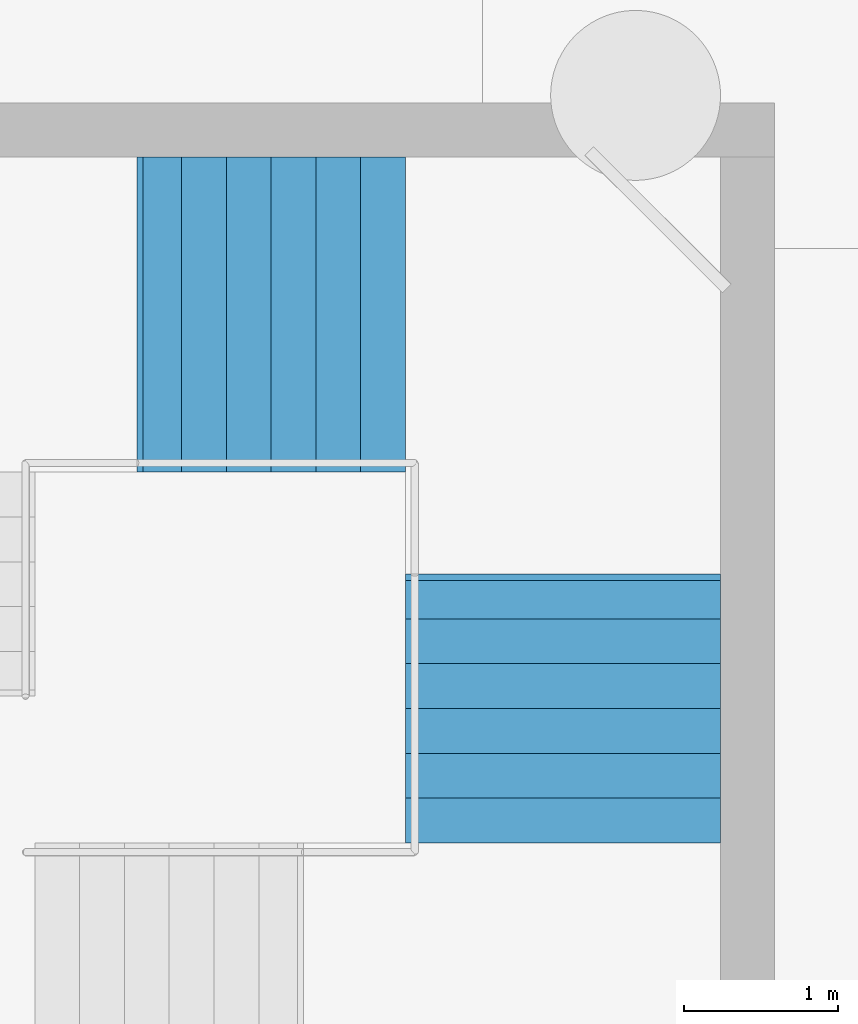
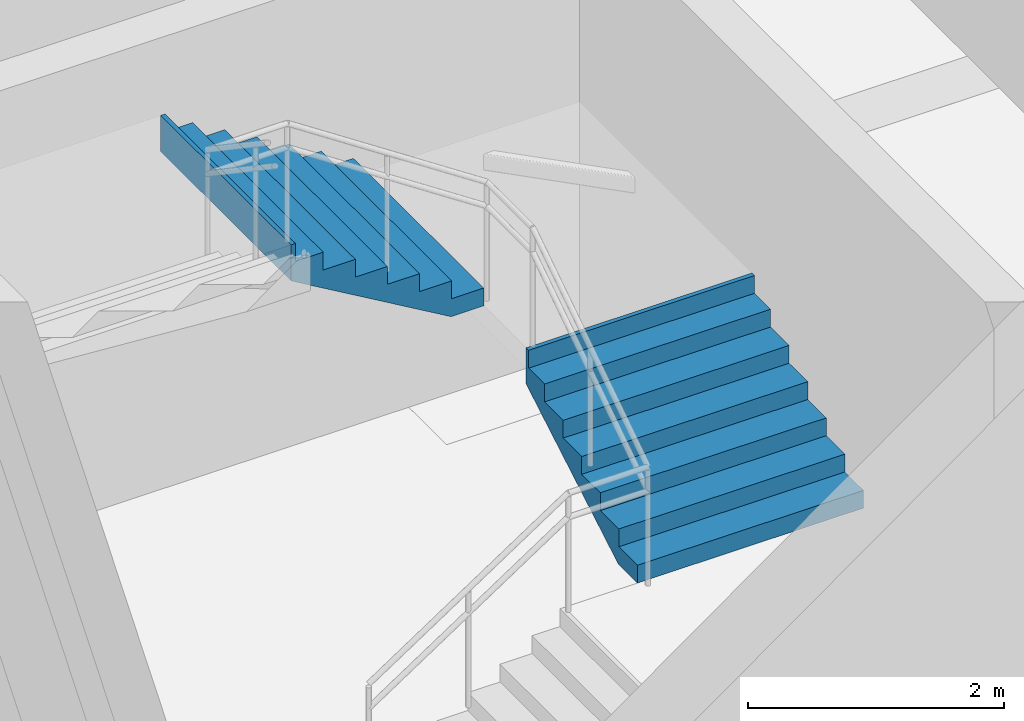
# One storey, part 20 of 30: 2 stair flights, 1 element without a shape of its own.
"""IFC4 building model written with IfcOpenShell, lengths in metres."""

from ifc_helpers import new_model, si_unit, direction, frame, origin, place, context, subcontext, project, spatial, triangles, material, type_object, element, aggregate, save


model = new_model("IFC4")

# Units and contexts
model_context = context("Model", 3, precision=1e-05, world=origin(), true_north=direction((0.0, 1.0)))
body_context = subcontext(model_context, "Body", "Model", "MODEL_VIEW")
ifc_project = project(units=[si_unit("LENGTHUNIT", "METRE"), si_unit("AREAUNIT", "SQUARE_METRE"), si_unit("VOLUMEUNIT", "CUBIC_METRE"), si_unit("PLANEANGLEUNIT", "RADIAN"), si_unit("MASSUNIT", "GRAM", prefix="KILO")], contexts=[model_context])

# Site, building, storey
site_placement = place(None, origin())
site = spatial("IfcSite", under=ifc_project, at=site_placement, CompositionType="ELEMENT")
building_placement = place(site_placement, origin())
building = spatial("IfcBuilding", under=site, at=building_placement, Name="Sillaruma Civic Art Gallery", CompositionType="ELEMENT")
storey_placement = place(building_placement, frame((0.0, 0.0, -9.179931640625)))
storey = spatial("IfcBuildingStorey", under=building, at=storey_placement, Name="B02", CompositionType="ELEMENT", Elevation=-9.179931640625)

# Stair, stair flights
ifc_material = material(Name="Concrete H35 (35 MPa)", Category="concrete")
stair_type = type_object("IfcStairType", Name="STR-4F-27", PredefinedType="USERDEFINED", material=ifc_material)
stair_placement = place(storey_placement, origin())
stair = element("IfcStair", 1, at=stair_placement, inside=storey, type_object=stair_type, Name="Protected Exit Stair ST-03 (West Bar South) (B02)", ObjectType="THREE_RETURN_STAIR", PredefinedType="USERDEFINED")
stair_flight_type = type_object("IfcStairFlightType", Name="SFL-STR-7", PredefinedType="STRAIGHT", material=ifc_material)
stair_flight_1_placement = place(storey_placement, frame((68.219970703125, 33.449951171875, 1.18994140625), z_axis=(0.0, 0.0, 1.0), x_axis=(0.0, 1.0, 0.0)))
stair_flight_1 = element("IfcStairFlight", 2, at=stair_flight_1_placement, type_object=stair_flight_type, Name="ST-03 flight 2", NumberOfRisers=7, NumberOfTreads=6, PredefinedType="STRAIGHT", RiserHeight=0.17, TreadLength=0.29, context=body_context, shape_type="Tessellation", body=[
    triangles([(0.0, -1.02001953125, 0.0), (0.29, -1.02001953125, 0.0), (0.296404, -1.02001953125, 0.0), (0.58, -1.02001953125, 0.166246), (0.87, -1.02001953125, 0.336246), (1.16, -1.02001953125, 0.506246), (1.45, -1.02001953125, 0.676246), (1.69999, -1.02001953125, 0.822792), (1.73999, -1.02001953125, 0.84624), (1.73999, -1.02001953125, 1.19), (1.69999, -1.02001953125, 1.19), (1.69999, -1.02001953125, 1.02), (1.45, -1.02001953125, 1.02), (1.45, -1.02001953125, 0.85), (1.16, -1.02001953125, 0.85), (1.16, -1.02001953125, 0.68), (0.87, -1.02001953125, 0.68), (0.87, -1.02001953125, 0.51), (0.58, -1.02001953125, 0.51), (0.58, -1.02001953125, 0.34), (0.296404, -1.02001953125, 0.34), (0.29, -1.02001953125, 0.34), (0.29, -1.02001953125, 0.17), (0.0, -1.02001953125, 0.17), (0.0, -0.05, 0.0), (0.29, -0.05, 0.0), (0.296404, -0.05, 0.0), (0.58, -0.05, 0.166246), (0.87, -0.05, 0.336246), (1.16, -0.05, 0.506246), (1.45, -0.05, 0.676246), (1.69999, -0.05, 0.822792), (1.73999, -0.05, 0.84624), (1.73999, -0.05, 1.19), (1.69999, -0.05, 1.19), (1.69999, -0.05, 1.02), (1.45, -0.05, 1.02), (1.45, -0.05, 0.85), (1.16, -0.05, 0.85), (1.16, -0.05, 0.68), (0.87, -0.05, 0.68), (0.87, -0.05, 0.51), (0.58, -0.05, 0.51), (0.58, -0.05, 0.34), (0.296404, -0.05, 0.34), (0.29, -0.05, 0.34), (0.29, -0.05, 0.17), (0.0, -0.05, 0.17), (0.0, -0.0375, 0.0), (0.29, -0.0375, 0.0), (0.296404, -0.0375, 0.0), (0.58, -0.0375, 0.166246), (0.87, -0.0375, 0.336246), (1.16, -0.0375, 0.506246), (1.45, -0.0375, 0.676246), (1.69999, -0.0375, 0.822792), (1.73999, -0.0375, 0.84624), (1.73999, -0.0375, 1.19), (1.69999, -0.0375, 1.19), (1.69999, -0.0375, 1.02), (1.45, -0.0375, 1.02), (1.45, -0.0375, 0.85), (1.16, -0.0375, 0.85), (1.16, -0.0375, 0.68), (0.87, -0.0375, 0.68), (0.87, -0.0375, 0.51), (0.58, -0.0375, 0.51), (0.58, -0.0375, 0.34), (0.296404, -0.0375, 0.34), (0.29, -0.0375, 0.34), (0.29, -0.0375, 0.17), (0.0, -0.0375, 0.17), (0.0, -0.025, 0.0), (0.29, -0.025, 0.0), (0.296404, -0.025, 0.0), (0.58, -0.025, 0.166246), (0.87, -0.025, 0.336246), (1.16, -0.025, 0.506246), (1.45, -0.025, 0.676246), (1.69999, -0.025, 0.822792), (1.73999, -0.025, 0.84624), (1.73999, -0.025, 1.19), (1.69999, -0.025, 1.19), (1.69999, -0.025, 1.02), (1.45, -0.025, 1.02), (1.45, -0.025, 0.85), (1.16, -0.025, 0.85), (1.16, -0.025, 0.68), (0.87, -0.025, 0.68), (0.87, -0.025, 0.51), (0.58, -0.025, 0.51), (0.58, -0.025, 0.34), (0.296404, -0.025, 0.34), (0.29, -0.025, 0.34), (0.29, -0.025, 0.17), (0.0, -0.025, 0.17), (0.0, -0.0125, 0.0), (0.29, -0.0125, 0.0), (0.296404, -0.0125, 0.0), (0.58, -0.0125, 0.166246), (0.87, -0.0125, 0.336246), (1.16, -0.0125, 0.506246), (1.45, -0.0125, 0.676246), (1.69999, -0.0125, 0.822792), (1.73999, -0.0125, 0.84624), (1.73999, -0.0125, 1.19), (1.69999, -0.0125, 1.19), (1.69999, -0.0125, 1.02), (1.45, -0.0125, 1.02), (1.45, -0.0125, 0.85), (1.16, -0.0125, 0.85), (1.16, -0.0125, 0.68), (0.87, -0.0125, 0.68), (0.87, -0.0125, 0.51), (0.58, -0.0125, 0.51), (0.58, -0.0125, 0.34), (0.296404, -0.0125, 0.34), (0.29, -0.0125, 0.34), (0.29, -0.0125, 0.17), (0.0, -0.0125, 0.17), (0.0, 0.0, 0.0), (0.29, 0.0, 0.0), (0.296404, 0.0, 0.0), (0.58, 0.0, 0.166246), (0.87, 0.0, 0.336246), (1.16, 0.0, 0.506246), (1.45, 0.0, 0.676246), (1.69999, 0.0, 0.822792), (1.73999, 0.0, 0.84624), (1.73999, 0.0, 1.19), (1.69999, 0.0, 1.19), (1.69999, 0.0, 1.02), (1.45, 0.0, 1.02), (1.45, 0.0, 0.85), (1.16, 0.0, 0.85), (1.16, 0.0, 0.68), (0.87, 0.0, 0.68), (0.87, 0.0, 0.51), (0.58, 0.0, 0.51), (0.58, 0.0, 0.34), (0.296404, 0.0, 0.34), (0.29, 0.0, 0.34), (0.29, 0.0, 0.17), (0.0, 0.0, 0.17), (0.0, 0.0125, 0.0), (0.29, 0.0125, 0.0), (0.296404, 0.0125, 0.0), (0.58, 0.0125, 0.166246), (0.87, 0.0125, 0.336246), (1.16, 0.0125, 0.506246), (1.45, 0.0125, 0.676246), (1.69999, 0.0125, 0.822792), (1.73999, 0.0125, 0.84624), (1.73999, 0.0125, 1.19), (1.69999, 0.0125, 1.19), (1.69999, 0.0125, 1.02), (1.45, 0.0125, 1.02), (1.45, 0.0125, 0.85), (1.16, 0.0125, 0.85), (1.16, 0.0125, 0.68), (0.87, 0.0125, 0.68), (0.87, 0.0125, 0.51), (0.58, 0.0125, 0.51), (0.58, 0.0125, 0.34), (0.296404, 0.0125, 0.34), (0.29, 0.0125, 0.34), (0.29, 0.0125, 0.17), (0.0, 0.0125, 0.17), (0.0, 0.025, 0.0), (0.29, 0.025, 0.0), (0.296404, 0.025, 0.0), (0.58, 0.025, 0.166246), (0.87, 0.025, 0.336246), (1.16, 0.025, 0.506246), (1.45, 0.025, 0.676246), (1.69999, 0.025, 0.822792), (1.73999, 0.025, 0.84624), (1.73999, 0.025, 1.19), (1.69999, 0.025, 1.19), (1.69999, 0.025, 1.02), (1.45, 0.025, 1.02), (1.45, 0.025, 0.85), (1.16, 0.025, 0.85), (1.16, 0.025, 0.68), (0.87, 0.025, 0.68), (0.87, 0.025, 0.51), (0.58, 0.025, 0.51), (0.58, 0.025, 0.34), (0.296404, 0.025, 0.34), (0.29, 0.025, 0.34), (0.29, 0.025, 0.17), (0.0, 0.025, 0.17), (0.0, 0.0375, 0.0), (0.29, 0.0375, 0.0), (0.296404, 0.0375, 0.0), (0.58, 0.0375, 0.166246), (0.87, 0.0375, 0.336246), (1.16, 0.0375, 0.506246), (1.45, 0.0375, 0.676246), (1.69999, 0.0375, 0.822792), (1.73999, 0.0375, 0.84624), (1.73999, 0.0375, 1.19), (1.69999, 0.0375, 1.19), (1.69999, 0.0375, 1.02), (1.45, 0.0375, 1.02), (1.45, 0.0375, 0.85), (1.16, 0.0375, 0.85), (1.16, 0.0375, 0.68), (0.87, 0.0375, 0.68), (0.87, 0.0375, 0.51), (0.58, 0.0375, 0.51), (0.58, 0.0375, 0.34), (0.296404, 0.0375, 0.34), (0.29, 0.0375, 0.34), (0.29, 0.0375, 0.17), (0.0, 0.0375, 0.17), (0.0, 0.05, 0.0), (0.29, 0.05, 0.0), (0.296404, 0.05, 0.0), (0.58, 0.05, 0.166246), (0.87, 0.05, 0.336246), (1.16, 0.05, 0.506246), (1.45, 0.05, 0.676246), (1.69999, 0.05, 0.822792), (1.73999, 0.05, 0.84624), (1.73999, 0.05, 1.19), (1.69999, 0.05, 1.19), (1.69999, 0.05, 1.02), (1.45, 0.05, 1.02), (1.45, 0.05, 0.85), (1.16, 0.05, 0.85), (1.16, 0.05, 0.68), (0.87, 0.05, 0.68), (0.87, 0.05, 0.51), (0.58, 0.05, 0.51), (0.58, 0.05, 0.34), (0.296404, 0.05, 0.34), (0.29, 0.05, 0.34), (0.29, 0.05, 0.17), (0.0, 0.05, 0.17), (0.0, 1.02001953125, 0.0), (0.29, 1.02001953125, 0.0), (0.296404, 1.02001953125, 0.0), (0.58, 1.02001953125, 0.166246), (0.87, 1.02001953125, 0.336246), (1.16, 1.02001953125, 0.506246), (1.45, 1.02001953125, 0.676246), (1.69999, 1.02001953125, 0.822792), (1.73999, 1.02001953125, 0.84624), (1.73999, 1.02001953125, 1.19), (1.69999, 1.02001953125, 1.19), (1.69999, 1.02001953125, 1.02), (1.45, 1.02001953125, 1.02), (1.45, 1.02001953125, 0.85), (1.16, 1.02001953125, 0.85), (1.16, 1.02001953125, 0.68), (0.87, 1.02001953125, 0.68), (0.87, 1.02001953125, 0.51), (0.58, 1.02001953125, 0.51), (0.58, 1.02001953125, 0.34), (0.296404, 1.02001953125, 0.34), (0.29, 1.02001953125, 0.34), (0.29, 1.02001953125, 0.17), (0.0, 1.02001953125, 0.17)], [[1, 2, 23], [1, 23, 24], [2, 3, 21], [2, 21, 23], [23, 21, 22], [3, 4, 20], [3, 20, 21], [4, 5, 18], [4, 18, 20], [20, 18, 19], [5, 6, 16], [5, 16, 18], [18, 16, 17], [6, 7, 14], [6, 14, 16], [16, 14, 15], [7, 8, 12], [7, 12, 14], [14, 12, 13], [8, 9, 10], [8, 10, 12], [12, 10, 11], [263, 242, 241], [264, 263, 241], [261, 243, 242], [263, 261, 242], [262, 261, 263], [260, 244, 243], [261, 260, 243], [258, 245, 244], [260, 258, 244], [259, 258, 260], [256, 246, 245], [258, 256, 245], [257, 256, 258], [254, 247, 246], [256, 254, 246], [255, 254, 256], [252, 248, 247], [254, 252, 247], [253, 252, 254], [250, 249, 248], [252, 250, 248], [251, 250, 252], [2, 1, 25], [2, 25, 26], [3, 2, 26], [3, 26, 27], [4, 3, 27], [4, 27, 28], [5, 4, 28], [5, 28, 29], [6, 5, 29], [6, 29, 30], [7, 6, 30], [7, 30, 31], [8, 7, 31], [8, 31, 32], [9, 8, 32], [9, 32, 33], [10, 9, 33], [10, 33, 34], [11, 10, 34], [11, 34, 35], [12, 11, 35], [12, 35, 36], [13, 12, 36], [13, 36, 37], [14, 13, 37], [14, 37, 38], [15, 14, 38], [15, 38, 39], [16, 15, 39], [16, 39, 40], [17, 16, 40], [17, 40, 41], [18, 17, 41], [18, 41, 42], [19, 18, 42], [19, 42, 43], [20, 19, 43], [20, 43, 44], [21, 20, 44], [21, 44, 45], [22, 21, 45], [22, 45, 46], [23, 22, 46], [23, 46, 47], [24, 23, 47], [24, 47, 48], [1, 24, 48], [1, 48, 25], [26, 25, 49], [26, 49, 50], [27, 26, 50], [27, 50, 51], [28, 27, 51], [28, 51, 52], [29, 28, 52], [29, 52, 53], [30, 29, 53], [30, 53, 54], [31, 30, 54], [31, 54, 55], [32, 31, 55], [32, 55, 56], [33, 32, 56], [33, 56, 57], [34, 33, 57], [34, 57, 58], [35, 34, 58], [35, 58, 59], [36, 35, 59], [36, 59, 60], [37, 36, 60], [37, 60, 61], [38, 37, 61], [38, 61, 62], [39, 38, 62], [39, 62, 63], [40, 39, 63], [40, 63, 64], [41, 40, 64], [41, 64, 65], [42, 41, 65], [42, 65, 66], [43, 42, 66], [43, 66, 67], [44, 43, 67], [44, 67, 68], [45, 44, 68], [45, 68, 69], [46, 45, 69], [46, 69, 70], [47, 46, 70], [47, 70, 71], [48, 47, 71], [48, 71, 72], [25, 48, 72], [25, 72, 49], [50, 49, 73], [50, 73, 74], [51, 50, 74], [51, 74, 75], [52, 51, 75], [52, 75, 76], [53, 52, 76], [53, 76, 77], [54, 53, 77], [54, 77, 78], [55, 54, 78], [55, 78, 79], [56, 55, 79], [56, 79, 80], [57, 56, 80], [57, 80, 81], [58, 57, 81], [58, 81, 82], [59, 58, 82], [59, 82, 83], [60, 59, 83], [60, 83, 84], [61, 60, 84], [61, 84, 85], [62, 61, 85], [62, 85, 86], [63, 62, 86], [63, 86, 87], [64, 63, 87], [64, 87, 88], [65, 64, 88], [65, 88, 89], [66, 65, 89], [66, 89, 90], [67, 66, 90], [67, 90, 91], [68, 67, 91], [68, 91, 92], [69, 68, 92], [69, 92, 93], [70, 69, 93], [70, 93, 94], [71, 70, 94], [71, 94, 95], [72, 71, 95], [72, 95, 96], [49, 72, 96], [49, 96, 73], [74, 73, 97], [74, 97, 98], [75, 74, 98], [75, 98, 99], [76, 75, 99], [76, 99, 100], [77, 76, 100], [77, 100, 101], [78, 77, 101], [78, 101, 102], [79, 78, 102], [79, 102, 103], [80, 79, 103], [80, 103, 104], [81, 80, 104], [81, 104, 105], [82, 81, 105], [82, 105, 106], [83, 82, 106], [83, 106, 107], [84, 83, 107], [84, 107, 108], [85, 84, 108], [85, 108, 109], [86, 85, 109], [86, 109, 110], [87, 86, 110], [87, 110, 111], [88, 87, 111], [88, 111, 112], [89, 88, 112], [89, 112, 113], [90, 89, 113], [90, 113, 114], [91, 90, 114], [91, 114, 115], [92, 91, 115], [92, 115, 116], [93, 92, 116], [93, 116, 117], [94, 93, 117], [94, 117, 118], [95, 94, 118], [95, 118, 119], [96, 95, 119], [96, 119, 120], [73, 96, 120], [73, 120, 97], [98, 97, 121], [98, 121, 122], [99, 98, 122], [99, 122, 123], [100, 99, 123], [100, 123, 124], [101, 100, 124], [101, 124, 125], [102, 101, 125], [102, 125, 126], [103, 102, 126], [103, 126, 127], [104, 103, 127], [104, 127, 128], [105, 104, 128], [105, 128, 129], [106, 105, 129], [106, 129, 130], [107, 106, 130], [107, 130, 131], [108, 107, 131], [108, 131, 132], [109, 108, 132], [109, 132, 133], [110, 109, 133], [110, 133, 134], [111, 110, 134], [111, 134, 135], [112, 111, 135], [112, 135, 136], [113, 112, 136], [113, 136, 137], [114, 113, 137], [114, 137, 138], [115, 114, 138], [115, 138, 139], [116, 115, 139], [116, 139, 140], [117, 116, 140], [117, 140, 141], [118, 117, 141], [118, 141, 142], [119, 118, 142], [119, 142, 143], [120, 119, 143], [120, 143, 144], [97, 120, 144], [97, 144, 121], [122, 121, 145], [122, 145, 146], [123, 122, 146], [123, 146, 147], [124, 123, 147], [124, 147, 148], [125, 124, 148], [125, 148, 149], [126, 125, 149], [126, 149, 150], [127, 126, 150], [127, 150, 151], [128, 127, 151], [128, 151, 152], [129, 128, 152], [129, 152, 153], [130, 129, 153], [130, 153, 154], [131, 130, 154], [131, 154, 155], [132, 131, 155], [132, 155, 156], [133, 132, 156], [133, 156, 157], [134, 133, 157], [134, 157, 158], [135, 134, 158], [135, 158, 159], [136, 135, 159], [136, 159, 160], [137, 136, 160], [137, 160, 161], [138, 137, 161], [138, 161, 162], [139, 138, 162], [139, 162, 163], [140, 139, 163], [140, 163, 164], [141, 140, 164], [141, 164, 165], [142, 141, 165], [142, 165, 166], [143, 142, 166], [143, 166, 167], [144, 143, 167], [144, 167, 168], [121, 144, 168], [121, 168, 145], [146, 145, 169], [146, 169, 170], [147, 146, 170], [147, 170, 171], [148, 147, 171], [148, 171, 172], [149, 148, 172], [149, 172, 173], [150, 149, 173], [150, 173, 174], [151, 150, 174], [151, 174, 175], [152, 151, 175], [152, 175, 176], [153, 152, 176], [153, 176, 177], [154, 153, 177], [154, 177, 178], [155, 154, 178], [155, 178, 179], [156, 155, 179], [156, 179, 180], [157, 156, 180], [157, 180, 181], [158, 157, 181], [158, 181, 182], [159, 158, 182], [159, 182, 183], [160, 159, 183], [160, 183, 184], [161, 160, 184], [161, 184, 185], [162, 161, 185], [162, 185, 186], [163, 162, 186], [163, 186, 187], [164, 163, 187], [164, 187, 188], [165, 164, 188], [165, 188, 189], [166, 165, 189], [166, 189, 190], [167, 166, 190], [167, 190, 191], [168, 167, 191], [168, 191, 192], [145, 168, 192], [145, 192, 169], [170, 169, 193], [170, 193, 194], [171, 170, 194], [171, 194, 195], [172, 171, 195], [172, 195, 196], [173, 172, 196], [173, 196, 197], [174, 173, 197], [174, 197, 198], [175, 174, 198], [175, 198, 199], [176, 175, 199], [176, 199, 200], [177, 176, 200], [177, 200, 201], [178, 177, 201], [178, 201, 202], [179, 178, 202], [179, 202, 203], [180, 179, 203], [180, 203, 204], [181, 180, 204], [181, 204, 205], [182, 181, 205], [182, 205, 206], [183, 182, 206], [183, 206, 207], [184, 183, 207], [184, 207, 208], [185, 184, 208], [185, 208, 209], [186, 185, 209], [186, 209, 210], [187, 186, 210], [187, 210, 211], [188, 187, 211], [188, 211, 212], [189, 188, 212], [189, 212, 213], [190, 189, 213], [190, 213, 214], [191, 190, 214], [191, 214, 215], [192, 191, 215], [192, 215, 216], [169, 192, 216], [169, 216, 193], [194, 193, 217], [194, 217, 218], [195, 194, 218], [195, 218, 219], [196, 195, 219], [196, 219, 220], [197, 196, 220], [197, 220, 221], [198, 197, 221], [198, 221, 222], [199, 198, 222], [199, 222, 223], [200, 199, 223], [200, 223, 224], [201, 200, 224], [201, 224, 225], [202, 201, 225], [202, 225, 226], [203, 202, 226], [203, 226, 227], [204, 203, 227], [204, 227, 228], [205, 204, 228], [205, 228, 229], [206, 205, 229], [206, 229, 230], [207, 206, 230], [207, 230, 231], [208, 207, 231], [208, 231, 232], [209, 208, 232], [209, 232, 233], [210, 209, 233], [210, 233, 234], [211, 210, 234], [211, 234, 235], [212, 211, 235], [212, 235, 236], [213, 212, 236], [213, 236, 237], [214, 213, 237], [214, 237, 238], [215, 214, 238], [215, 238, 239], [216, 215, 239], [216, 239, 240], [193, 216, 240], [193, 240, 217], [218, 217, 241], [218, 241, 242], [219, 218, 242], [219, 242, 243], [220, 219, 243], [220, 243, 244], [221, 220, 244], [221, 244, 245], [222, 221, 245], [222, 245, 246], [223, 222, 246], [223, 246, 247], [224, 223, 247], [224, 247, 248], [225, 224, 248], [225, 248, 249], [226, 225, 249], [226, 249, 250], [227, 226, 250], [227, 250, 251], [228, 227, 251], [228, 251, 252], [229, 228, 252], [229, 252, 253], [230, 229, 253], [230, 253, 254], [231, 230, 254], [231, 254, 255], [232, 231, 255], [232, 255, 256], [233, 232, 256], [233, 256, 257], [234, 233, 257], [234, 257, 258], [235, 234, 258], [235, 258, 259], [236, 235, 259], [236, 259, 260], [237, 236, 260], [237, 260, 261], [238, 237, 261], [238, 261, 262], [239, 238, 262], [239, 262, 263], [240, 239, 263], [240, 263, 264], [217, 240, 264], [217, 264, 241]], closed=True),
])
stair_flight_2_placement = place(storey_placement, frame((67.199951171875, 36.8701171875, 2.3798828125), z_axis=(0.0, 0.0, 1.0), x_axis=(-1.0, 0.0, 0.0)))
stair_flight_2 = element("IfcStairFlight", 3, at=stair_flight_2_placement, type_object=stair_flight_type, Name="ST-03 flight 3", NumberOfRisers=7, NumberOfTreads=6, PredefinedType="STRAIGHT", RiserHeight=0.17, TreadLength=0.29, context=body_context, shape_type="Tessellation", body=[
    triangles([(0.0, -1.02001953125, 0.0), (0.29, -1.02001953125, 0.0), (0.296404, -1.02001953125, 0.0), (0.58, -1.02001953125, 0.166246), (0.87, -1.02001953125, 0.336246), (1.16, -1.02001953125, 0.506246), (1.45, -1.02001953125, 0.676246), (1.69999, -1.02001953125, 0.822792), (1.73999, -1.02001953125, 0.84624), (1.73999, -1.02001953125, 1.19), (1.69999, -1.02001953125, 1.19), (1.69999, -1.02001953125, 1.02), (1.45, -1.02001953125, 1.02), (1.45, -1.02001953125, 0.85), (1.16, -1.02001953125, 0.85), (1.16, -1.02001953125, 0.68), (0.87, -1.02001953125, 0.68), (0.87, -1.02001953125, 0.51), (0.58, -1.02001953125, 0.51), (0.58, -1.02001953125, 0.34), (0.296404, -1.02001953125, 0.34), (0.29, -1.02001953125, 0.34), (0.29, -1.02001953125, 0.17), (0.0, -1.02001953125, 0.17), (0.0, -0.05, 0.0), (0.29, -0.05, 0.0), (0.296404, -0.05, 0.0), (0.58, -0.05, 0.166246), (0.87, -0.05, 0.336246), (1.16, -0.05, 0.506246), (1.45, -0.05, 0.676246), (1.69999, -0.05, 0.822792), (1.73999, -0.05, 0.84624), (1.73999, -0.05, 1.19), (1.69999, -0.05, 1.19), (1.69999, -0.05, 1.02), (1.45, -0.05, 1.02), (1.45, -0.05, 0.85), (1.16, -0.05, 0.85), (1.16, -0.05, 0.68), (0.87, -0.05, 0.68), (0.87, -0.05, 0.51), (0.58, -0.05, 0.51), (0.58, -0.05, 0.34), (0.296404, -0.05, 0.34), (0.29, -0.05, 0.34), (0.29, -0.05, 0.17), (0.0, -0.05, 0.17), (0.0, -0.0375, 0.0), (0.29, -0.0375, 0.0), (0.296404, -0.0375, 0.0), (0.58, -0.0375, 0.166246), (0.87, -0.0375, 0.336246), (1.16, -0.0375, 0.506246), (1.45, -0.0375, 0.676246), (1.69999, -0.0375, 0.822792), (1.73999, -0.0375, 0.84624), (1.73999, -0.0375, 1.19), (1.69999, -0.0375, 1.19), (1.69999, -0.0375, 1.02), (1.45, -0.0375, 1.02), (1.45, -0.0375, 0.85), (1.16, -0.0375, 0.85), (1.16, -0.0375, 0.68), (0.87, -0.0375, 0.68), (0.87, -0.0375, 0.51), (0.58, -0.0375, 0.51), (0.58, -0.0375, 0.34), (0.296404, -0.0375, 0.34), (0.29, -0.0375, 0.34), (0.29, -0.0375, 0.17), (0.0, -0.0375, 0.17), (0.0, -0.025, 0.0), (0.29, -0.025, 0.0), (0.296404, -0.025, 0.0), (0.58, -0.025, 0.166246), (0.87, -0.025, 0.336246), (1.16, -0.025, 0.506246), (1.45, -0.025, 0.676246), (1.69999, -0.025, 0.822792), (1.73999, -0.025, 0.84624), (1.73999, -0.025, 1.19), (1.69999, -0.025, 1.19), (1.69999, -0.025, 1.02), (1.45, -0.025, 1.02), (1.45, -0.025, 0.85), (1.16, -0.025, 0.85), (1.16, -0.025, 0.68), (0.87, -0.025, 0.68), (0.87, -0.025, 0.51), (0.58, -0.025, 0.51), (0.58, -0.025, 0.34), (0.296404, -0.025, 0.34), (0.29, -0.025, 0.34), (0.29, -0.025, 0.17), (0.0, -0.025, 0.17), (0.0, -0.0125, 0.0), (0.29, -0.0125, 0.0), (0.296404, -0.0125, 0.0), (0.58, -0.0125, 0.166246), (0.87, -0.0125, 0.336246), (1.16, -0.0125, 0.506246), (1.45, -0.0125, 0.676246), (1.69999, -0.0125, 0.822792), (1.73999, -0.0125, 0.84624), (1.73999, -0.0125, 1.19), (1.69999, -0.0125, 1.19), (1.69999, -0.0125, 1.02), (1.45, -0.0125, 1.02), (1.45, -0.0125, 0.85), (1.16, -0.0125, 0.85), (1.16, -0.0125, 0.68), (0.87, -0.0125, 0.68), (0.87, -0.0125, 0.51), (0.58, -0.0125, 0.51), (0.58, -0.0125, 0.34), (0.296404, -0.0125, 0.34), (0.29, -0.0125, 0.34), (0.29, -0.0125, 0.17), (0.0, -0.0125, 0.17), (0.0, 0.0, 0.0), (0.29, 0.0, 0.0), (0.296404, 0.0, 0.0), (0.58, 0.0, 0.166246), (0.87, 0.0, 0.336246), (1.16, 0.0, 0.506246), (1.45, 0.0, 0.676246), (1.69999, 0.0, 0.822792), (1.73999, 0.0, 0.84624), (1.73999, 0.0, 1.19), (1.69999, 0.0, 1.19), (1.69999, 0.0, 1.02), (1.45, 0.0, 1.02), (1.45, 0.0, 0.85), (1.16, 0.0, 0.85), (1.16, 0.0, 0.68), (0.87, 0.0, 0.68), (0.87, 0.0, 0.51), (0.58, 0.0, 0.51), (0.58, 0.0, 0.34), (0.296404, 0.0, 0.34), (0.29, 0.0, 0.34), (0.29, 0.0, 0.17), (0.0, 0.0, 0.17), (0.0, 0.0125, 0.0), (0.29, 0.0125, 0.0), (0.296404, 0.0125, 0.0), (0.58, 0.0125, 0.166246), (0.87, 0.0125, 0.336246), (1.16, 0.0125, 0.506246), (1.45, 0.0125, 0.676246), (1.69999, 0.0125, 0.822792), (1.73999, 0.0125, 0.84624), (1.73999, 0.0125, 1.19), (1.69999, 0.0125, 1.19), (1.69999, 0.0125, 1.02), (1.45, 0.0125, 1.02), (1.45, 0.0125, 0.85), (1.16, 0.0125, 0.85), (1.16, 0.0125, 0.68), (0.87, 0.0125, 0.68), (0.87, 0.0125, 0.51), (0.58, 0.0125, 0.51), (0.58, 0.0125, 0.34), (0.296404, 0.0125, 0.34), (0.29, 0.0125, 0.34), (0.29, 0.0125, 0.17), (0.0, 0.0125, 0.17), (0.0, 0.025, 0.0), (0.29, 0.025, 0.0), (0.296404, 0.025, 0.0), (0.58, 0.025, 0.166246), (0.87, 0.025, 0.336246), (1.16, 0.025, 0.506246), (1.45, 0.025, 0.676246), (1.69999, 0.025, 0.822792), (1.73999, 0.025, 0.84624), (1.73999, 0.025, 1.19), (1.69999, 0.025, 1.19), (1.69999, 0.025, 1.02), (1.45, 0.025, 1.02), (1.45, 0.025, 0.85), (1.16, 0.025, 0.85), (1.16, 0.025, 0.68), (0.87, 0.025, 0.68), (0.87, 0.025, 0.51), (0.58, 0.025, 0.51), (0.58, 0.025, 0.34), (0.296404, 0.025, 0.34), (0.29, 0.025, 0.34), (0.29, 0.025, 0.17), (0.0, 0.025, 0.17), (0.0, 0.0375, 0.0), (0.29, 0.0375, 0.0), (0.296404, 0.0375, 0.0), (0.58, 0.0375, 0.166246), (0.87, 0.0375, 0.336246), (1.16, 0.0375, 0.506246), (1.45, 0.0375, 0.676246), (1.69999, 0.0375, 0.822792), (1.73999, 0.0375, 0.84624), (1.73999, 0.0375, 1.19), (1.69999, 0.0375, 1.19), (1.69999, 0.0375, 1.02), (1.45, 0.0375, 1.02), (1.45, 0.0375, 0.85), (1.16, 0.0375, 0.85), (1.16, 0.0375, 0.68), (0.87, 0.0375, 0.68), (0.87, 0.0375, 0.51), (0.58, 0.0375, 0.51), (0.58, 0.0375, 0.34), (0.296404, 0.0375, 0.34), (0.29, 0.0375, 0.34), (0.29, 0.0375, 0.17), (0.0, 0.0375, 0.17), (0.0, 0.05, 0.0), (0.29, 0.05, 0.0), (0.296404, 0.05, 0.0), (0.58, 0.05, 0.166246), (0.87, 0.05, 0.336246), (1.16, 0.05, 0.506246), (1.45, 0.05, 0.676246), (1.69999, 0.05, 0.822792), (1.73999, 0.05, 0.84624), (1.73999, 0.05, 1.19), (1.69999, 0.05, 1.19), (1.69999, 0.05, 1.02), (1.45, 0.05, 1.02), (1.45, 0.05, 0.85), (1.16, 0.05, 0.85), (1.16, 0.05, 0.68), (0.87, 0.05, 0.68), (0.87, 0.05, 0.51), (0.58, 0.05, 0.51), (0.58, 0.05, 0.34), (0.296404, 0.05, 0.34), (0.29, 0.05, 0.34), (0.29, 0.05, 0.17), (0.0, 0.05, 0.17), (0.0, 1.02001953125, 0.0), (0.29, 1.02001953125, 0.0), (0.296404, 1.02001953125, 0.0), (0.58, 1.02001953125, 0.166246), (0.87, 1.02001953125, 0.336246), (1.16, 1.02001953125, 0.506246), (1.45, 1.02001953125, 0.676246), (1.69999, 1.02001953125, 0.822792), (1.73999, 1.02001953125, 0.84624), (1.73999, 1.02001953125, 1.19), (1.69999, 1.02001953125, 1.19), (1.69999, 1.02001953125, 1.02), (1.45, 1.02001953125, 1.02), (1.45, 1.02001953125, 0.85), (1.16, 1.02001953125, 0.85), (1.16, 1.02001953125, 0.68), (0.87, 1.02001953125, 0.68), (0.87, 1.02001953125, 0.51), (0.58, 1.02001953125, 0.51), (0.58, 1.02001953125, 0.34), (0.296404, 1.02001953125, 0.34), (0.29, 1.02001953125, 0.34), (0.29, 1.02001953125, 0.17), (0.0, 1.02001953125, 0.17)], [[1, 2, 23], [1, 23, 24], [2, 3, 21], [2, 21, 23], [23, 21, 22], [3, 4, 20], [3, 20, 21], [4, 5, 18], [4, 18, 20], [20, 18, 19], [5, 6, 16], [5, 16, 18], [18, 16, 17], [6, 7, 14], [6, 14, 16], [16, 14, 15], [7, 8, 12], [7, 12, 14], [14, 12, 13], [8, 9, 10], [8, 10, 12], [12, 10, 11], [263, 242, 241], [264, 263, 241], [261, 243, 242], [263, 261, 242], [262, 261, 263], [260, 244, 243], [261, 260, 243], [258, 245, 244], [260, 258, 244], [259, 258, 260], [256, 246, 245], [258, 256, 245], [257, 256, 258], [254, 247, 246], [256, 254, 246], [255, 254, 256], [252, 248, 247], [254, 252, 247], [253, 252, 254], [250, 249, 248], [252, 250, 248], [251, 250, 252], [2, 1, 25], [2, 25, 26], [3, 2, 26], [3, 26, 27], [4, 3, 27], [4, 27, 28], [5, 4, 28], [5, 28, 29], [6, 5, 29], [6, 29, 30], [7, 6, 30], [7, 30, 31], [8, 7, 31], [8, 31, 32], [9, 8, 32], [9, 32, 33], [10, 9, 33], [10, 33, 34], [11, 10, 34], [11, 34, 35], [12, 11, 35], [12, 35, 36], [13, 12, 36], [13, 36, 37], [14, 13, 37], [14, 37, 38], [15, 14, 38], [15, 38, 39], [16, 15, 39], [16, 39, 40], [17, 16, 40], [17, 40, 41], [18, 17, 41], [18, 41, 42], [19, 18, 42], [19, 42, 43], [20, 19, 43], [20, 43, 44], [21, 20, 44], [21, 44, 45], [22, 21, 45], [22, 45, 46], [23, 22, 46], [23, 46, 47], [24, 23, 47], [24, 47, 48], [1, 24, 48], [1, 48, 25], [26, 25, 49], [26, 49, 50], [27, 26, 50], [27, 50, 51], [28, 27, 51], [28, 51, 52], [29, 28, 52], [29, 52, 53], [30, 29, 53], [30, 53, 54], [31, 30, 54], [31, 54, 55], [32, 31, 55], [32, 55, 56], [33, 32, 56], [33, 56, 57], [34, 33, 57], [34, 57, 58], [35, 34, 58], [35, 58, 59], [36, 35, 59], [36, 59, 60], [37, 36, 60], [37, 60, 61], [38, 37, 61], [38, 61, 62], [39, 38, 62], [39, 62, 63], [40, 39, 63], [40, 63, 64], [41, 40, 64], [41, 64, 65], [42, 41, 65], [42, 65, 66], [43, 42, 66], [43, 66, 67], [44, 43, 67], [44, 67, 68], [45, 44, 68], [45, 68, 69], [46, 45, 69], [46, 69, 70], [47, 46, 70], [47, 70, 71], [48, 47, 71], [48, 71, 72], [25, 48, 72], [25, 72, 49], [50, 49, 73], [50, 73, 74], [51, 50, 74], [51, 74, 75], [52, 51, 75], [52, 75, 76], [53, 52, 76], [53, 76, 77], [54, 53, 77], [54, 77, 78], [55, 54, 78], [55, 78, 79], [56, 55, 79], [56, 79, 80], [57, 56, 80], [57, 80, 81], [58, 57, 81], [58, 81, 82], [59, 58, 82], [59, 82, 83], [60, 59, 83], [60, 83, 84], [61, 60, 84], [61, 84, 85], [62, 61, 85], [62, 85, 86], [63, 62, 86], [63, 86, 87], [64, 63, 87], [64, 87, 88], [65, 64, 88], [65, 88, 89], [66, 65, 89], [66, 89, 90], [67, 66, 90], [67, 90, 91], [68, 67, 91], [68, 91, 92], [69, 68, 92], [69, 92, 93], [70, 69, 93], [70, 93, 94], [71, 70, 94], [71, 94, 95], [72, 71, 95], [72, 95, 96], [49, 72, 96], [49, 96, 73], [74, 73, 97], [74, 97, 98], [75, 74, 98], [75, 98, 99], [76, 75, 99], [76, 99, 100], [77, 76, 100], [77, 100, 101], [78, 77, 101], [78, 101, 102], [79, 78, 102], [79, 102, 103], [80, 79, 103], [80, 103, 104], [81, 80, 104], [81, 104, 105], [82, 81, 105], [82, 105, 106], [83, 82, 106], [83, 106, 107], [84, 83, 107], [84, 107, 108], [85, 84, 108], [85, 108, 109], [86, 85, 109], [86, 109, 110], [87, 86, 110], [87, 110, 111], [88, 87, 111], [88, 111, 112], [89, 88, 112], [89, 112, 113], [90, 89, 113], [90, 113, 114], [91, 90, 114], [91, 114, 115], [92, 91, 115], [92, 115, 116], [93, 92, 116], [93, 116, 117], [94, 93, 117], [94, 117, 118], [95, 94, 118], [95, 118, 119], [96, 95, 119], [96, 119, 120], [73, 96, 120], [73, 120, 97], [98, 97, 121], [98, 121, 122], [99, 98, 122], [99, 122, 123], [100, 99, 123], [100, 123, 124], [101, 100, 124], [101, 124, 125], [102, 101, 125], [102, 125, 126], [103, 102, 126], [103, 126, 127], [104, 103, 127], [104, 127, 128], [105, 104, 128], [105, 128, 129], [106, 105, 129], [106, 129, 130], [107, 106, 130], [107, 130, 131], [108, 107, 131], [108, 131, 132], [109, 108, 132], [109, 132, 133], [110, 109, 133], [110, 133, 134], [111, 110, 134], [111, 134, 135], [112, 111, 135], [112, 135, 136], [113, 112, 136], [113, 136, 137], [114, 113, 137], [114, 137, 138], [115, 114, 138], [115, 138, 139], [116, 115, 139], [116, 139, 140], [117, 116, 140], [117, 140, 141], [118, 117, 141], [118, 141, 142], [119, 118, 142], [119, 142, 143], [120, 119, 143], [120, 143, 144], [97, 120, 144], [97, 144, 121], [122, 121, 145], [122, 145, 146], [123, 122, 146], [123, 146, 147], [124, 123, 147], [124, 147, 148], [125, 124, 148], [125, 148, 149], [126, 125, 149], [126, 149, 150], [127, 126, 150], [127, 150, 151], [128, 127, 151], [128, 151, 152], [129, 128, 152], [129, 152, 153], [130, 129, 153], [130, 153, 154], [131, 130, 154], [131, 154, 155], [132, 131, 155], [132, 155, 156], [133, 132, 156], [133, 156, 157], [134, 133, 157], [134, 157, 158], [135, 134, 158], [135, 158, 159], [136, 135, 159], [136, 159, 160], [137, 136, 160], [137, 160, 161], [138, 137, 161], [138, 161, 162], [139, 138, 162], [139, 162, 163], [140, 139, 163], [140, 163, 164], [141, 140, 164], [141, 164, 165], [142, 141, 165], [142, 165, 166], [143, 142, 166], [143, 166, 167], [144, 143, 167], [144, 167, 168], [121, 144, 168], [121, 168, 145], [146, 145, 169], [146, 169, 170], [147, 146, 170], [147, 170, 171], [148, 147, 171], [148, 171, 172], [149, 148, 172], [149, 172, 173], [150, 149, 173], [150, 173, 174], [151, 150, 174], [151, 174, 175], [152, 151, 175], [152, 175, 176], [153, 152, 176], [153, 176, 177], [154, 153, 177], [154, 177, 178], [155, 154, 178], [155, 178, 179], [156, 155, 179], [156, 179, 180], [157, 156, 180], [157, 180, 181], [158, 157, 181], [158, 181, 182], [159, 158, 182], [159, 182, 183], [160, 159, 183], [160, 183, 184], [161, 160, 184], [161, 184, 185], [162, 161, 185], [162, 185, 186], [163, 162, 186], [163, 186, 187], [164, 163, 187], [164, 187, 188], [165, 164, 188], [165, 188, 189], [166, 165, 189], [166, 189, 190], [167, 166, 190], [167, 190, 191], [168, 167, 191], [168, 191, 192], [145, 168, 192], [145, 192, 169], [170, 169, 193], [170, 193, 194], [171, 170, 194], [171, 194, 195], [172, 171, 195], [172, 195, 196], [173, 172, 196], [173, 196, 197], [174, 173, 197], [174, 197, 198], [175, 174, 198], [175, 198, 199], [176, 175, 199], [176, 199, 200], [177, 176, 200], [177, 200, 201], [178, 177, 201], [178, 201, 202], [179, 178, 202], [179, 202, 203], [180, 179, 203], [180, 203, 204], [181, 180, 204], [181, 204, 205], [182, 181, 205], [182, 205, 206], [183, 182, 206], [183, 206, 207], [184, 183, 207], [184, 207, 208], [185, 184, 208], [185, 208, 209], [186, 185, 209], [186, 209, 210], [187, 186, 210], [187, 210, 211], [188, 187, 211], [188, 211, 212], [189, 188, 212], [189, 212, 213], [190, 189, 213], [190, 213, 214], [191, 190, 214], [191, 214, 215], [192, 191, 215], [192, 215, 216], [169, 192, 216], [169, 216, 193], [194, 193, 217], [194, 217, 218], [195, 194, 218], [195, 218, 219], [196, 195, 219], [196, 219, 220], [197, 196, 220], [197, 220, 221], [198, 197, 221], [198, 221, 222], [199, 198, 222], [199, 222, 223], [200, 199, 223], [200, 223, 224], [201, 200, 224], [201, 224, 225], [202, 201, 225], [202, 225, 226], [203, 202, 226], [203, 226, 227], [204, 203, 227], [204, 227, 228], [205, 204, 228], [205, 228, 229], [206, 205, 229], [206, 229, 230], [207, 206, 230], [207, 230, 231], [208, 207, 231], [208, 231, 232], [209, 208, 232], [209, 232, 233], [210, 209, 233], [210, 233, 234], [211, 210, 234], [211, 234, 235], [212, 211, 235], [212, 235, 236], [213, 212, 236], [213, 236, 237], [214, 213, 237], [214, 237, 238], [215, 214, 238], [215, 238, 239], [216, 215, 239], [216, 239, 240], [193, 216, 240], [193, 240, 217], [218, 217, 241], [218, 241, 242], [219, 218, 242], [219, 242, 243], [220, 219, 243], [220, 243, 244], [221, 220, 244], [221, 244, 245], [222, 221, 245], [222, 245, 246], [223, 222, 246], [223, 246, 247], [224, 223, 247], [224, 247, 248], [225, 224, 248], [225, 248, 249], [226, 225, 249], [226, 249, 250], [227, 226, 250], [227, 250, 251], [228, 227, 251], [228, 251, 252], [229, 228, 252], [229, 252, 253], [230, 229, 253], [230, 253, 254], [231, 230, 254], [231, 254, 255], [232, 231, 255], [232, 255, 256], [233, 232, 256], [233, 256, 257], [234, 233, 257], [234, 257, 258], [235, 234, 258], [235, 258, 259], [236, 235, 259], [236, 259, 260], [237, 236, 260], [237, 260, 261], [238, 237, 261], [238, 261, 262], [239, 238, 262], [239, 262, 263], [240, 239, 263], [240, 263, 264], [217, 240, 264], [217, 264, 241]], closed=True),
])
aggregate(stair, [stair_flight_1, stair_flight_2])

save(model, "model.ifc")
